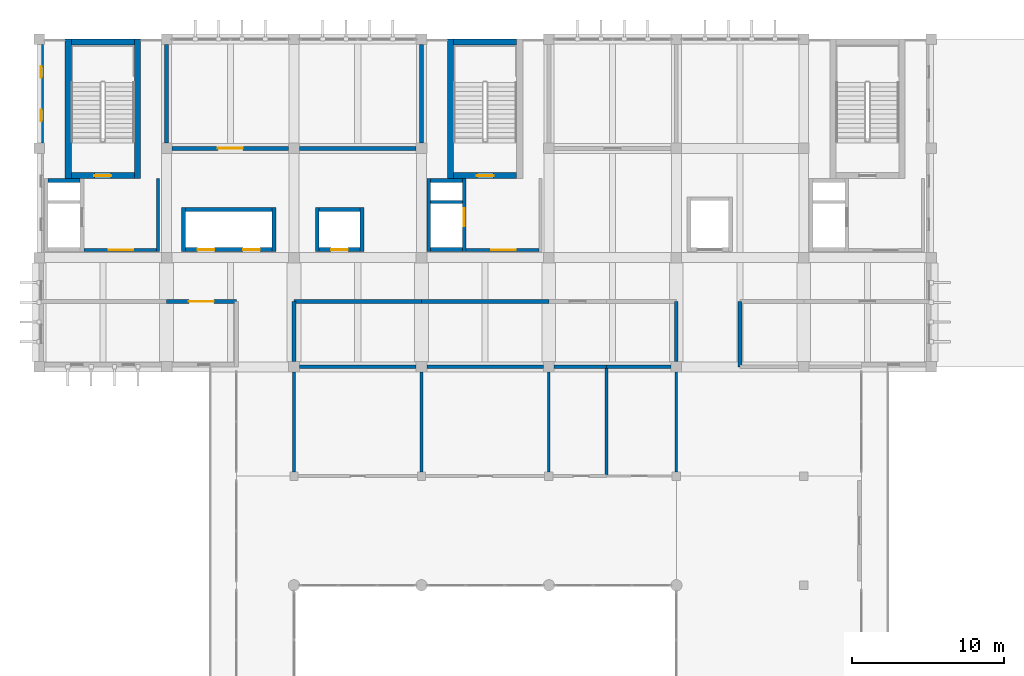
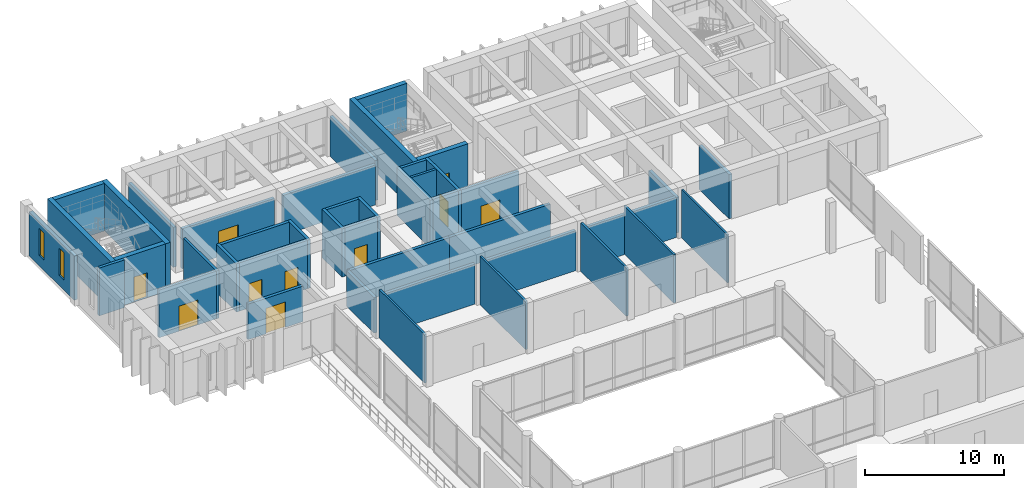
# One storey, part 12 of 17: 44 walls, 10 doors, 2 windows, 12 openings.
"""IFC4 building model written with IfcOpenShell, lengths in metres."""

from ifc_helpers import new_model, si_unit, direction, frame, frame_2d, origin, place, context, subcontext, project, spatial, rectangle, extrude, material, layer, layer_set, type_object, element, fill, save


model = new_model("IFC4")

# Units and contexts
model_context = context("Model", 3, precision=1e-05, world=origin(), true_north=direction((0.0, 1.0)))
body_context = subcontext(model_context, "Body", "Model", "MODEL_VIEW")
ifc_project = project(units=[si_unit("LENGTHUNIT", "METRE"), si_unit("AREAUNIT", "SQUARE_METRE"), si_unit("VOLUMEUNIT", "CUBIC_METRE"), si_unit("PLANEANGLEUNIT", "RADIAN"), si_unit("MASSUNIT", "GRAM", prefix="KILO")], contexts=[model_context])

# Site, building, storey
site_placement = place(None, origin())
site = spatial("IfcSite", under=ifc_project, at=site_placement, CompositionType="ELEMENT")
building_placement = place(site_placement, origin())
building = spatial("IfcBuilding", under=site, at=building_placement, Name="Kenerak Square Central Library", CompositionType="ELEMENT")
storey_placement = place(building_placement, frame((0.0, 0.0, 23.360107421875)))
storey = spatial("IfcBuildingStorey", under=building, at=storey_placement, Name="L05", CompositionType="ELEMENT", Elevation=23.360107421875)

# Wall
ifc_material_1 = material(Name="Precast concrete C40/50", Category="concrete")
ifc_layer_1 = layer(ifc_material_1, 0.14990234375)
ifc_layer_set_1 = layer_set([ifc_layer_1], Name="Precast concrete C40/50")
wall_type_1 = type_object("IfcWallType", Name="Acoustic Blockwork Partition IW-150 C40/50", PredefinedType="PARTITIONING", material=ifc_layer_set_1)
wall_1_placement = place(storey_placement, frame((100.39990234375, 88.449951171875, 0.0), z_axis=(0.0, 0.0, 1.0), x_axis=(0.0, -1.0, 0.0)))
element("IfcWall", 1, at=wall_1_placement, inside=storey, type_object=wall_type_1, Name="Interior Wall IW-L05-11-E4-B1", PredefinedType="PARTITIONING", context=body_context, shape_type="SweptSolid", body=[
    extrude(rectangle(XDim=6.574951171875, YDim=0.14990234375, at=frame_2d((3.28759765625, 0.0))), origin(), (0.0, 0.0, 1.0), 4.2548828125),
])

# Wall, opening, door
ifc_material_2 = material(Name="Concrete C40/50", Category="concrete")
ifc_layer_2 = layer(ifc_material_2, 0.25)
ifc_layer_set_2 = layer_set([ifc_layer_2], Name="Concrete C40/50")
wall_type_2 = type_object("IfcWallType", Name="Archive Compartment Wall IW-250 C40/50", PredefinedType="SOLIDWALL", material=ifc_layer_set_2)
wall_2_placement = place(storey_placement, frame((66.800048828125, 93.10009765625, 0.0), z_axis=(0.0, 0.0, 1.0), x_axis=(1.0, 0.0, 0.0)))
wall_2 = element("IfcWall", 2, at=wall_2_placement, inside=storey, type_object=wall_type_2, Name="Interior Wall IW-L05-04-N2-B2", PredefinedType="SOLIDWALL", context=body_context, shape_type="SweptSolid", body=[
    extrude(rectangle(XDim=4.599853515625, YDim=0.25, at=frame_2d((2.2998046875, 0.0))), origin(), (0.0, 0.0, 1.0), 3.1298828125),
])
opening_1_placement = place(wall_2_placement, frame((1.47509765625, 0.0, 0.0)))
opening_1 = element("IfcOpeningElement", 3, at=opening_1_placement, cuts=wall_2, Name="Opening ID-08", PredefinedType="OPENING", context=body_context, shape_type="SweptSolid", body=[
    extrude(rectangle(XDim=1.64990234375, YDim=2.25, at=frame_2d((0.824951171875, 1.125))), frame((0.0, 0.135009765625, 0.0), z_axis=(0.0, -1.0, 0.0), x_axis=(1.0, 0.0, 0.0)), (0.0, 0.0, 1.0), 0.27001953125),
])
ifc_material_3 = material(Name="Steel S355", Category="steel")
door_type_1 = type_object("IfcDoorType", Name="Vault Fire Compartment Double Door ID-1650x2250 FD120S", OperationType="NOTDEFINED", PredefinedType="DOOR", material=ifc_material_3)
door_1_placement = place(opening_1_placement, origin())
door_1 = element("IfcDoor", 4, at=door_1_placement, inside=storey, type_object=door_type_1, Name="Rare-Books Climate-Controlled Vault Door", OperationType="DOUBLE_DOOR_SINGLE_SWING", OverallHeight=2.25, OverallWidth=1.64990234375, PredefinedType="DOOR", context=body_context, shape_type="SweptSolid", body=[
    extrude(rectangle(XDim=1.64990234375, YDim=2.25, at=frame_2d((0.824951171875, 1.125))), frame((0.0, 0.02490234375, 0.0), z_axis=(0.0, -1.0, 0.0), x_axis=(1.0, 0.0, 0.0)), (0.0, 0.0, 1.0), 0.050048828125),
])
fill(opening_1, door_1)

# Walls
wall_3_placement = place(storey_placement, frame((75.199951171875, 93.10009765625, 0.0), z_axis=(0.0, 0.0, 1.0), x_axis=(1.0, 0.0, 0.0)))
element("IfcWall", 5, at=wall_3_placement, inside=storey, type_object=wall_type_2, Name="Interior Wall IW-L05-05-N2-B1", PredefinedType="SOLIDWALL", context=body_context, shape_type="SweptSolid", body=[
    extrude(rectangle(XDim=8.400146484375, YDim=0.25, at=frame_2d((4.2001953125, 0.0))), origin(), (0.0, 0.0, 1.0), 3.1298828125),
])
wall_4_placement = place(storey_placement, frame((83.60009765625, 93.10009765625, 0.0), z_axis=(0.0, 0.0, 1.0), x_axis=(1.0, 0.0, 0.0)))
element("IfcWall", 6, at=wall_4_placement, inside=storey, type_object=wall_type_2, Name="Interior Wall IW-L05-05-N2-B2", PredefinedType="SOLIDWALL", context=body_context, shape_type="SweptSolid", body=[
    extrude(rectangle(XDim=8.39990234375, YDim=0.25, at=frame_2d((4.199951171875, 0.0))), origin(), (0.0, 0.0, 1.0), 3.1298828125),
])
wall_5_placement = place(storey_placement, frame((83.25, 103.199951171875, 0.0), z_axis=(0.0, 0.0, 1.0), x_axis=(-1.0, 0.0, 0.0)))
element("IfcWall", 7, at=wall_5_placement, inside=storey, type_object=wall_type_2, Name="Interior Wall IW-L05-09-S1-B1", PredefinedType="SOLIDWALL", context=body_context, shape_type="SweptSolid", body=[
    extrude(rectangle(XDim=7.699951171875, YDim=0.25, at=frame_2d((3.85009765625, 0.0))), origin(), (0.0, 0.0, 1.0), 3.52978515625),
])

# Wall, opening, door
wall_6_placement = place(storey_placement, frame((74.85009765625, 103.199951171875, 0.0), z_axis=(0.0, 0.0, 1.0), x_axis=(-1.0, 0.0, 0.0)))
wall_6 = element("IfcWall", 8, at=wall_6_placement, inside=storey, type_object=wall_type_2, Name="Interior Wall IW-L05-09-S1-B2", PredefinedType="SOLIDWALL", context=body_context, shape_type="SweptSolid", body=[
    extrude(rectangle(XDim=7.7001953125, YDim=0.25, at=frame_2d((3.85009765625, 0.0))), origin(), (0.0, 0.0, 1.0), 3.52978515625),
])
opening_2_placement = place(wall_6_placement, frame((3.02490234375, 0.0, 0.0)))
opening_2 = element("IfcOpeningElement", 9, at=opening_2_placement, cuts=wall_6, Name="Opening ID-08", PredefinedType="OPENING", context=body_context, shape_type="SweptSolid", body=[
    extrude(rectangle(XDim=1.64990234375, YDim=2.25, at=frame_2d((0.824951171875, 1.125))), frame((0.0, 0.135009765625, 0.0), z_axis=(0.0, -1.0, 0.0), x_axis=(1.0, 0.0, 0.0)), (0.0, 0.0, 1.0), 0.27001953125),
])
door_2_placement = place(opening_2_placement, origin())
door_2 = element("IfcDoor", 10, at=door_2_placement, inside=storey, type_object=door_type_1, Name="Malaysian Epigraphy and Colonial Archives Stack Door", OperationType="DOUBLE_DOOR_SINGLE_SWING", OverallHeight=2.25, OverallWidth=1.64990234375, PredefinedType="DOOR", context=body_context, shape_type="SweptSolid", body=[
    extrude(rectangle(XDim=1.64990234375, YDim=2.25, at=frame_2d((0.824951171875, 1.125))), frame((0.0, 0.02490234375, 0.0), z_axis=(0.0, -1.0, 0.0), x_axis=(1.0, 0.0, 0.0)), (0.0, 0.0, 1.0), 0.050048828125),
])
fill(opening_2, door_2)

# Walls
wall_7_placement = place(storey_placement, frame((100.050048828125, 88.800048828125, 0.0), z_axis=(0.0, 0.0, 1.0), x_axis=(-1.0, 0.0, 0.0)))
element("IfcWall", 11, at=wall_7_placement, inside=storey, type_object=wall_type_2, Name="Interior Wall IW-L05-05-S1-B1", PredefinedType="SOLIDWALL", context=body_context, shape_type="SweptSolid", body=[
    extrude(rectangle(XDim=4.25, YDim=0.25, at=frame_2d((2.125, 0.0))), origin(), (0.0, 0.0, 1.0), 3.52978515625),
])
wall_8_placement = place(storey_placement, frame((95.800048828125, 88.800048828125, 0.0), z_axis=(0.0, 0.0, 1.0), x_axis=(-1.0, 0.0, 0.0)))
element("IfcWall", 12, at=wall_8_placement, inside=storey, type_object=wall_type_2, Name="Interior Wall IW-L05-05-S1-B2", PredefinedType="SOLIDWALL", context=body_context, shape_type="SweptSolid", body=[
    extrude(rectangle(XDim=3.449951171875, YDim=0.25, at=frame_2d((1.72509765625, 0.0))), origin(), (0.0, 0.0, 1.0), 3.52978515625),
])
for number, where, z_axis, x_axis, name in (
    (13, (91.64990234375, 88.800048828125, 0.0), (0.0, 0.0, 1.0), (-1.0, 0.0, 0.0), "Interior Wall IW-L05-05-S1-B3"),
    (14, (83.25, 88.800048828125, 0.0), (0.0, 0.0, 1.0), (-1.0, 0.0, 0.0), "Interior Wall IW-L05-05-S1-B4"),
):
    element("IfcWall", number, at=place(storey_placement, frame(where, z_axis=z_axis, x_axis=x_axis)), inside=storey, type_object=wall_type_2, Name=name, PredefinedType="SOLIDWALL", context=body_context, shape_type="SweptSolid", body=[
        extrude(rectangle(XDim=7.699951171875, YDim=0.25, at=frame_2d((3.85009765625, 0.0))), origin(), (0.0, 0.0, 1.0), 3.52978515625),
    ])
for number, where, z_axis, x_axis, name in (
    (15, (75.199951171875, 89.14990234375, 0.0), (0.0, 0.0, 1.0), (0.0, 1.0, 0.0), "Interior Wall IW-L05-05-W3-B1"),
    (16, (100.39990234375, 93.10009765625, 0.0), (0.0, 0.0, 1.0), (0.0, -1.0, 0.0), "Interior Wall IW-L05-05-E4-B1"),
):
    element("IfcWall", number, at=place(storey_placement, frame(where, z_axis=z_axis, x_axis=x_axis)), inside=storey, type_object=wall_type_2, Name=name, PredefinedType="SOLIDWALL", context=body_context, shape_type="SweptSolid", body=[
        extrude(rectangle(XDim=3.9501953125, YDim=0.25, at=frame_2d((1.97509765625, 0.0))), origin(), (0.0, 0.0, 1.0), 3.1298828125),
    ])
wall_9_placement = place(storey_placement, frame((104.60009765625, 88.800048828125, 0.0), z_axis=(0.0, 0.0, 1.0), x_axis=(0.0, 1.0, 0.0)))
element("IfcWall", 17, at=wall_9_placement, inside=storey, type_object=wall_type_2, Name="Interior Wall IW-L05-12-W3-B1", PredefinedType="SOLIDWALL", context=body_context, shape_type="SweptSolid", body=[
    extrude(rectangle(XDim=4.300048828125, YDim=0.25, at=frame_2d((2.14990234375, 0.0))), origin(), (0.0, 0.0, 1.0), 3.8798828125),
])
for number, where, z_axis, x_axis, name in (
    (18, (66.800048828125, 103.550048828125, 0.0), (0.0, 0.0, 1.0), (0.0, 1.0, 0.0), "Interior Wall IW-L05-09-W3-B1"),
    (19, (83.60009765625, 110.050048828125, 0.0), (0.0, 0.0, 1.0), (0.0, -1.0, 0.0), "Interior Wall IW-L05-09-E4-B1"),
):
    element("IfcWall", number, at=place(storey_placement, frame(where, z_axis=z_axis, x_axis=x_axis)), inside=storey, type_object=wall_type_2, Name=name, PredefinedType="SOLIDWALL", context=body_context, shape_type="SweptSolid", body=[
        extrude(rectangle(XDim=6.5, YDim=0.25, at=frame_2d((3.25, 0.0))), origin(), (0.0, 0.0, 1.0), 3.52978515625),
    ])

# Wall, openings, windows
ifc_layer_3 = layer(ifc_material_2, 0.300048828125)
ifc_layer_set_3 = layer_set([ifc_layer_3], Name="Concrete C40/50")
wall_type_3 = type_object("IfcWallType", Name="Board-Marked Brutalist Facade Wall EW-300 C40/50", PredefinedType="SOLIDWALL", material=ifc_layer_set_3)
wall_10_placement = place(storey_placement, frame((58.550048828125, 103.550048828125, 0.0), z_axis=(0.0, 0.0, 1.0), x_axis=(0.0, 1.0, 0.0)))
wall_10 = element("IfcWall", 20, at=wall_10_placement, inside=storey, type_object=wall_type_3, Name="Exterior Facade Wall L05 0252", PredefinedType="SOLIDWALL", context=body_context, shape_type="SweptSolid", body=[
    extrude(rectangle(XDim=6.5, YDim=0.300048828125, at=frame_2d((3.25, 0.0))), origin(), (0.0, 0.0, 1.0), 3.8798828125),
])
opening_3_placement = place(wall_10_placement, frame((1.445068359375, 0.0, 0.89990234375)))
opening_3 = element("IfcOpeningElement", 21, at=opening_3_placement, cuts=wall_10, Name="Opening W-02", PredefinedType="OPENING", context=body_context, shape_type="SweptSolid", body=[
    extrude(rectangle(XDim=0.75, YDim=2.39990234375, at=frame_2d((0.375, 1.199951171875))), frame((0.0, 0.159912109375, 0.0), z_axis=(0.0, -1.0, 0.0), x_axis=(1.0, 0.0, 0.0)), (0.0, 0.0, 1.0), 0.320068359375),
])
opening_4_placement = place(wall_10_placement, frame((4.304931640625, 0.0, 0.89990234375)))
opening_4 = element("IfcOpeningElement", 22, at=opening_4_placement, cuts=wall_10, Name="Opening W-02", PredefinedType="OPENING", context=body_context, shape_type="SweptSolid", body=[
    extrude(rectangle(XDim=0.75, YDim=2.39990234375, at=frame_2d((0.375, 1.199951171875))), frame((0.0, 0.159912109375, 0.0), z_axis=(0.0, -1.0, 0.0), x_axis=(1.0, 0.0, 0.0)), (0.0, 0.0, 1.0), 0.320068359375),
])
ifc_material_4 = material(Name="Solar-control low-E laminated double glazing", Category="glass")
window_type = type_object("IfcWindowType", Name="Archive Narrow Slot Window W-02 750x2400", PartitioningType="SINGLE_PANEL", PredefinedType="WINDOW", material=ifc_material_4)
window_1_placement = place(opening_3_placement, origin())
window_1 = element("IfcWindow", 23, at=window_1_placement, inside=storey, type_object=window_type, Name="Window W-02 L05 0281", OverallHeight=2.39990234375, OverallWidth=0.75, PartitioningType="SINGLE_PANEL", PredefinedType="WINDOW", context=body_context, shape_type="SweptSolid", body=[
    extrude(rectangle(XDim=0.75, YDim=2.39990234375, at=frame_2d((0.375, 1.199951171875))), frame((0.0, 0.030029296875, 0.0), z_axis=(0.0, -1.0, 0.0), x_axis=(1.0, 0.0, 0.0)), (0.0, 0.0, 1.0), 0.06005859375),
])
fill(opening_3, window_1)
window_2_placement = place(opening_4_placement, origin())
window_2 = element("IfcWindow", 24, at=window_2_placement, inside=storey, type_object=window_type, Name="Window W-02 L05 0282", OverallHeight=2.39990234375, OverallWidth=0.75, PartitioningType="SINGLE_PANEL", PredefinedType="WINDOW", context=body_context, shape_type="SweptSolid", body=[
    extrude(rectangle(XDim=0.75, YDim=2.39990234375, at=frame_2d((0.375, 1.199951171875))), frame((0.0, 0.030029296875, 0.0), z_axis=(0.0, -1.0, 0.0), x_axis=(1.0, 0.0, 0.0)), (0.0, 0.0, 1.0), 0.06005859375),
])
fill(opening_4, window_2)

# Walls
ifc_layer_4 = layer(ifc_material_2, 0.39990234375)
ifc_layer_set_4 = layer_set([ifc_layer_4], Name="Concrete C40/50")
wall_type_4 = type_object("IfcWallType", Name="Core Shear Wall CW-400 C40/50", PredefinedType="SHEAR", material=ifc_layer_set_4)
for number, where, z_axis, x_axis, name in (
    (25, (60.320068359375, 101.199951171875, 0.0), (0.0, 0.0, 1.0), (0.0, 1.0, 0.0), "Core Wall CW-C1 L05 West"),
    (26, (64.8798828125, 110.39990234375, 0.0), (0.0, 0.0, 1.0), (0.0, -1.0, 0.0), "Core Wall CW-C1 L05 East"),
):
    element("IfcWall", number, at=place(storey_placement, frame(where, z_axis=z_axis, x_axis=x_axis)), inside=storey, type_object=wall_type_4, Name=name, PredefinedType="SHEAR", context=body_context, shape_type="SweptSolid", body=[
        extrude(rectangle(XDim=9.199951171875, YDim=0.39990234375, at=frame_2d((4.60009765625, 0.0))), origin(), (0.0, 0.0, 1.0), 4.204833984375),
    ])

# Wall, opening, door
wall_11_placement = place(storey_placement, frame((64.679931640625, 101.39990234375, 0.0), z_axis=(0.0, 0.0, 1.0), x_axis=(-1.0, 0.0, 0.0)))
wall_11 = element("IfcWall", 27, at=wall_11_placement, inside=storey, type_object=wall_type_4, Name="Core Wall CW-C1 L05 South", PredefinedType="SHEAR", context=body_context, shape_type="SweptSolid", body=[
    extrude(rectangle(XDim=4.159912109375, YDim=0.39990234375, at=frame_2d((2.080078125, 0.0))), origin(), (0.0, 0.0, 1.0), 4.204833984375),
])
opening_5_placement = place(wall_11_placement, frame((1.530029296875, 0.0, 0.0)))
opening_5 = element("IfcOpeningElement", 28, at=opening_5_placement, cuts=wall_11, Name="Opening D-ST1", PredefinedType="OPENING", context=body_context, shape_type="SweptSolid", body=[
    extrude(rectangle(XDim=1.10009765625, YDim=2.199951171875, at=frame_2d((0.550048828125, 1.10009765625))), frame((0.0, 0.2099609375, 0.0), z_axis=(0.0, -1.0, 0.0), x_axis=(1.0, 0.0, 0.0)), (0.0, 0.0, 1.0), 0.419921875),
])
door_type_2 = type_object("IfcDoorType", Name="Protected Stair Fire Door FD-1100x2200 FD60S", OperationType="NOTDEFINED", PredefinedType="DOOR", material=ifc_material_3)
door_3_placement = place(opening_5_placement, frame((1.10009765625, 0.0, 0.0), z_axis=(0.0, 0.0, 1.0), x_axis=(-1.0, 0.0, 0.0)))
door_3 = element("IfcDoor", 29, at=door_3_placement, inside=storey, type_object=door_type_2, Name="Stair Door ST-01 L05", OperationType="SINGLE_SWING_LEFT", OverallHeight=2.199951171875, OverallWidth=1.10009765625, PredefinedType="DOOR", context=body_context, shape_type="SweptSolid", body=[
    extrude(rectangle(XDim=1.10009765625, YDim=2.199951171875, at=frame_2d((0.550048828125, 1.10009765625))), frame((0.0, 0.02490234375, 0.0), z_axis=(0.0, -1.0, 0.0), x_axis=(1.0, 0.0, 0.0)), (0.0, 0.0, 1.0), 0.050048828125),
])
fill(opening_5, door_3)

# Walls
wall_12_placement = place(storey_placement, frame((60.52001953125, 110.199951171875, 0.0), z_axis=(0.0, 0.0, 1.0), x_axis=(1.0, 0.0, 0.0)))
element("IfcWall", 30, at=wall_12_placement, inside=storey, type_object=wall_type_4, Name="Core Wall CW-C1 L05 North", PredefinedType="SHEAR", context=body_context, shape_type="SweptSolid", body=[
    extrude(rectangle(XDim=4.159912109375, YDim=0.39990234375, at=frame_2d((2.080078125, 0.0))), origin(), (0.0, 0.0, 1.0), 4.204833984375),
])
wall_13_placement = place(storey_placement, frame((85.52001953125, 101.199951171875, 0.0), z_axis=(0.0, 0.0, 1.0), x_axis=(0.0, 1.0, 0.0)))
element("IfcWall", 31, at=wall_13_placement, inside=storey, type_object=wall_type_4, Name="Core Wall CW-C2 L05 West", PredefinedType="SHEAR", context=body_context, shape_type="SweptSolid", body=[
    extrude(rectangle(XDim=9.199951171875, YDim=0.39990234375, at=frame_2d((4.60009765625, 0.0))), origin(), (0.0, 0.0, 1.0), 4.204833984375),
])

# Wall, opening, door
wall_14_placement = place(storey_placement, frame((89.8798828125, 101.39990234375, 0.0), z_axis=(0.0, 0.0, 1.0), x_axis=(-1.0, 0.0, 0.0)))
wall_14 = element("IfcWall", 32, at=wall_14_placement, inside=storey, type_object=wall_type_4, Name="Core Wall CW-C2 L05 South", PredefinedType="SHEAR", context=body_context, shape_type="SweptSolid", body=[
    extrude(rectangle(XDim=4.159912109375, YDim=0.39990234375, at=frame_2d((2.080078125, 0.0))), origin(), (0.0, 0.0, 1.0), 4.204833984375),
])
opening_6_placement = place(wall_14_placement, frame((1.530029296875, 0.0, 0.0)))
opening_6 = element("IfcOpeningElement", 33, at=opening_6_placement, cuts=wall_14, Name="Opening D-ST1", PredefinedType="OPENING", context=body_context, shape_type="SweptSolid", body=[
    extrude(rectangle(XDim=1.10009765625, YDim=2.199951171875, at=frame_2d((0.550048828125, 1.10009765625))), frame((0.0, 0.2099609375, 0.0), z_axis=(0.0, -1.0, 0.0), x_axis=(1.0, 0.0, 0.0)), (0.0, 0.0, 1.0), 0.419921875),
])
door_4_placement = place(opening_6_placement, frame((1.10009765625, 0.0, 0.0), z_axis=(0.0, 0.0, 1.0), x_axis=(-1.0, 0.0, 0.0)))
door_4 = element("IfcDoor", 34, at=door_4_placement, inside=storey, type_object=door_type_2, Name="Stair Door ST-02 L05", OperationType="SINGLE_SWING_RIGHT", OverallHeight=2.199951171875, OverallWidth=1.10009765625, PredefinedType="DOOR", context=body_context, shape_type="SweptSolid", body=[
    extrude(rectangle(XDim=1.10009765625, YDim=2.199951171875, at=frame_2d((0.550048828125, 1.10009765625))), frame((0.0, 0.02490234375, 0.0), z_axis=(0.0, -1.0, 0.0), x_axis=(1.0, 0.0, 0.0)), (0.0, 0.0, 1.0), 0.050048828125),
])
fill(opening_6, door_4)

# Walls
wall_15_placement = place(storey_placement, frame((85.719970703125, 110.199951171875, 0.0), z_axis=(0.0, 0.0, 1.0), x_axis=(1.0, 0.0, 0.0)))
element("IfcWall", 35, at=wall_15_placement, inside=storey, type_object=wall_type_4, Name="Core Wall CW-C2 L05 North", PredefinedType="SHEAR", context=body_context, shape_type="SweptSolid", body=[
    extrude(rectangle(XDim=4.159912109375, YDim=0.39990234375, at=frame_2d((2.080078125, 0.0))), origin(), (0.0, 0.0, 1.0), 4.204833984375),
])
ifc_layer_5 = layer(ifc_material_2, 0.199951171875)
ifc_layer_set_5 = layer_set([ifc_layer_5], Name="Concrete C40/50")
wall_type_5 = type_object("IfcWallType", Name="Lobby Compartment Wall LW-200 C40/50", PredefinedType="SOLIDWALL", material=ifc_layer_set_5)
wall_16_placement = place(storey_placement, frame((66.25, 101.199951171875, 0.0), z_axis=(0.0, 0.0, 1.0), x_axis=(0.0, -1.0, 0.0)))
element("IfcWall", 36, at=wall_16_placement, inside=storey, type_object=wall_type_5, Name="Firefighting Lobby East Wall C1 L05", PredefinedType="SOLIDWALL", context=body_context, shape_type="SweptSolid", body=[
    extrude(rectangle(XDim=4.800048828125, YDim=0.199951171875, at=frame_2d((2.39990234375, 0.0))), origin(), (0.0, 0.0, 1.0), 4.204833984375),
])

# Wall, opening, door
wall_17_placement = place(storey_placement, frame((66.14990234375, 96.5, 0.0), z_axis=(0.0, 0.0, 1.0), x_axis=(-1.0, 0.0, 0.0)))
wall_17 = element("IfcWall", 37, at=wall_17_placement, inside=storey, type_object=wall_type_5, Name="Firefighting Lobby South Wall C1 L05", PredefinedType="SOLIDWALL", context=body_context, shape_type="SweptSolid", body=[
    extrude(rectangle(XDim=4.7998046875, YDim=0.199951171875, at=frame_2d((2.39990234375, 0.0))), origin(), (0.0, 0.0, 1.0), 4.204833984375),
])
opening_7_placement = place(wall_17_placement, frame((1.550048828125, 0.0, 0.0)))
opening_7 = element("IfcOpeningElement", 38, at=opening_7_placement, cuts=wall_17, Name="Opening D-FFL", PredefinedType="OPENING", context=body_context, shape_type="SweptSolid", body=[
    extrude(rectangle(XDim=1.60009765625, YDim=2.199951171875, at=frame_2d((0.800048828125, 1.10009765625))), frame((0.0, 0.10986328125, 0.0), z_axis=(0.0, -1.0, 0.0), x_axis=(1.0, 0.0, 0.0)), (0.0, 0.0, 1.0), 0.219970703125),
])
door_type_3 = type_object("IfcDoorType", Name="Firefighting Lobby Double Door FD-1600x2200 FD60S", OperationType="NOTDEFINED", PredefinedType="DOOR", material=ifc_material_3)
door_5_placement = place(opening_7_placement, frame((1.60009765625, 0.0, 0.0), z_axis=(0.0, 0.0, 1.0), x_axis=(-1.0, 0.0, 0.0)))
door_5 = element("IfcDoor", 39, at=door_5_placement, inside=storey, type_object=door_type_3, Name="Firefighting Lobby Door C1 L05", OperationType="DOUBLE_DOOR_SINGLE_SWING", OverallHeight=2.199951171875, OverallWidth=1.60009765625, PredefinedType="DOOR", context=body_context, shape_type="SweptSolid", body=[
    extrude(rectangle(XDim=1.60009765625, YDim=2.199951171875, at=frame_2d((0.800048828125, 1.10009765625))), frame((0.0, 0.02490234375, 0.0), z_axis=(0.0, -1.0, 0.0), x_axis=(1.0, 0.0, 0.0)), (0.0, 0.0, 1.0), 0.050048828125),
])
fill(opening_7, door_5)

# Wall
wall_18_placement = place(storey_placement, frame((84.199951171875, 99.64990234375, 0.0), z_axis=(0.0, 0.0, 1.0), x_axis=(1.0, 0.0, 0.0)))
element("IfcWall", 40, at=wall_18_placement, inside=storey, type_object=wall_type_5, Name="Riser Divider Wall C2 L05", PredefinedType="SOLIDWALL", context=body_context, shape_type="SweptSolid", body=[
    extrude(rectangle(XDim=2.10009765625, YDim=0.199951171875, at=frame_2d((1.050048828125, 0.0))), origin(), (0.0, 0.0, 1.0), 4.204833984375),
])

# Wall, opening, door
wall_19_placement = place(storey_placement, frame((91.35009765625, 96.5, 0.0), z_axis=(0.0, 0.0, 1.0), x_axis=(-1.0, 0.0, 0.0)))
wall_19 = element("IfcWall", 41, at=wall_19_placement, inside=storey, type_object=wall_type_5, Name="Firefighting Lobby South Wall C2 L05", PredefinedType="SOLIDWALL", context=body_context, shape_type="SweptSolid", body=[
    extrude(rectangle(XDim=4.800048828125, YDim=0.199951171875, at=frame_2d((2.39990234375, 0.0))), origin(), (0.0, 0.0, 1.0), 4.204833984375),
])
opening_8_placement = place(wall_19_placement, frame((1.550048828125, 0.0, 0.0)))
opening_8 = element("IfcOpeningElement", 42, at=opening_8_placement, cuts=wall_19, Name="Opening D-FFL", PredefinedType="OPENING", context=body_context, shape_type="SweptSolid", body=[
    extrude(rectangle(XDim=1.60009765625, YDim=2.199951171875, at=frame_2d((0.800048828125, 1.10009765625))), frame((0.0, 0.10986328125, 0.0), z_axis=(0.0, -1.0, 0.0), x_axis=(1.0, 0.0, 0.0)), (0.0, 0.0, 1.0), 0.219970703125),
])
door_6_placement = place(opening_8_placement, frame((1.60009765625, 0.0, 0.0), z_axis=(0.0, 0.0, 1.0), x_axis=(-1.0, 0.0, 0.0)))
door_6 = element("IfcDoor", 43, at=door_6_placement, inside=storey, type_object=door_type_3, Name="Firefighting Lobby Door C2 L05", OperationType="DOUBLE_DOOR_SINGLE_SWING", OverallHeight=2.199951171875, OverallWidth=1.60009765625, PredefinedType="DOOR", context=body_context, shape_type="SweptSolid", body=[
    extrude(rectangle(XDim=1.60009765625, YDim=2.199951171875, at=frame_2d((0.800048828125, 1.10009765625))), frame((0.0, 0.02490234375, 0.0), z_axis=(0.0, -1.0, 0.0), x_axis=(1.0, 0.0, 0.0)), (0.0, 0.0, 1.0), 0.050048828125),
])
fill(opening_8, door_6)

# Walls
ifc_layer_6 = layer(ifc_material_1, 0.175048828125)
ifc_layer_set_6 = layer_set([ifc_layer_6], Name="Precast concrete C40/50")
wall_type_6 = type_object("IfcWallType", Name="Sanitary Plumbing Chase Wall IW-175 C40/50", PredefinedType="PLUMBINGWALL", material=ifc_layer_set_6)
for number, where, z_axis, x_axis, name in (
    (44, (75.199951171875, 81.875, 0.0), (0.0, 0.0, 1.0), (0.0, 1.0, 0.0), "Interior Wall IW-L05-06-W3-B1"),
    (45, (83.60009765625, 88.449951171875, 0.0), (0.0, 0.0, 1.0), (0.0, -1.0, 0.0), "Interior Wall IW-L05-06-E4-B1"),
    (46, (92.0, 88.449951171875, 0.0), (0.0, 0.0, 1.0), (0.0, -1.0, 0.0), "Interior Wall IW-L05-07-E4-B1"),
):
    element("IfcWall", number, at=place(storey_placement, frame(where, z_axis=z_axis, x_axis=x_axis)), inside=storey, type_object=wall_type_6, Name=name, PredefinedType="PLUMBINGWALL", context=body_context, shape_type="SweptSolid", body=[
        extrude(rectangle(XDim=6.574951171875, YDim=0.175048828125, at=frame_2d((3.28759765625, 0.0))), origin(), (0.0, 0.0, 1.0), 4.2548828125),
    ])
wall_20_placement = place(storey_placement, frame((95.800048828125, 88.800048828125, 0.0), z_axis=(0.0, 0.0, 1.0), x_axis=(0.0, -1.0, 0.0)))
element("IfcWall", 47, at=wall_20_placement, inside=storey, type_object=wall_type_6, Name="Interior Wall IW-L05-08-E4-B1", PredefinedType="PLUMBINGWALL", context=body_context, shape_type="SweptSolid", body=[
    extrude(rectangle(XDim=7.199951171875, YDim=0.175048828125, at=frame_2d((3.60009765625, 0.0))), origin(), (0.0, 0.0, 1.0), 4.2548828125),
])
ifc_layer_7 = layer(ifc_material_2, 0.25)
ifc_layer_set_7 = layer_set([ifc_layer_7], Name="Concrete C40/50")
wall_type_7 = type_object("IfcWallType", Name="Shaft Enclosure Wall SW-250 C40/50", PredefinedType="SOLIDWALL", material=ifc_layer_set_7)
wall_21_placement = place(storey_placement, frame((59.0, 101.074951171875, 0.0), z_axis=(0.0, 0.0, 1.0), x_axis=(1.0, 0.0, 0.0)))
element("IfcWall", 48, at=wall_21_placement, inside=storey, type_object=wall_type_7, Name="Core Wall FLW-C1 L05 North", PredefinedType="SOLIDWALL", context=body_context, shape_type="SweptSolid", body=[
    extrude(rectangle(XDim=2.10009765625, YDim=0.25, at=frame_2d((1.050048828125, 0.0))), origin(), (0.0, 0.0, 1.0), 4.204833984375),
])
wall_22_placement = place(storey_placement, frame((84.074951171875, 96.39990234375, 0.0), z_axis=(0.0, 0.0, 1.0), x_axis=(0.0, 1.0, 0.0)))
element("IfcWall", 49, at=wall_22_placement, inside=storey, type_object=wall_type_7, Name="Core Wall FLW-C2 L05 West", PredefinedType="SOLIDWALL", context=body_context, shape_type="SweptSolid", body=[
    extrude(rectangle(XDim=4.800048828125, YDim=0.25, at=frame_2d((2.39990234375, 0.0))), origin(), (0.0, 0.0, 1.0), 4.204833984375),
])

# Wall, opening, door
wall_23_placement = place(storey_placement, frame((86.425048828125, 101.199951171875, 0.0), z_axis=(0.0, 0.0, 1.0), x_axis=(0.0, -1.0, 0.0)))
wall_23 = element("IfcWall", 50, at=wall_23_placement, inside=storey, type_object=wall_type_7, Name="Core Wall FLW-C2 L05 East", PredefinedType="SOLIDWALL", context=body_context, shape_type="SweptSolid", body=[
    extrude(rectangle(XDim=4.800048828125, YDim=0.25, at=frame_2d((2.39990234375, 0.0))), origin(), (0.0, 0.0, 1.0), 4.204833984375),
])
opening_9_placement = place(wall_23_placement, frame((1.949951171875, 0.0, 0.0)))
opening_9 = element("IfcOpeningElement", 51, at=opening_9_placement, cuts=wall_23, Name="Opening LD-FL", PredefinedType="OPENING", context=body_context, shape_type="SweptSolid", body=[
    extrude(rectangle(XDim=1.199951171875, YDim=2.199951171875, at=frame_2d((0.60009765625, 1.10009765625))), frame((0.0, 0.135009765625, 0.0), z_axis=(0.0, -1.0, 0.0), x_axis=(1.0, 0.0, 0.0)), (0.0, 0.0, 1.0), 0.27001953125),
])
door_type_4 = type_object("IfcDoorType", Name="Firefighting Lift Sliding Landing Door LD-1200x2200 FD120S", OperationType="NOTDEFINED", PredefinedType="DOOR", material=ifc_material_3)
door_7_placement = place(opening_9_placement, origin())
door_7 = element("IfcDoor", 52, at=door_7_placement, inside=storey, type_object=door_type_4, Name="Firefighting Lift Landing Door FL-02 L05", OperationType="SLIDING_TO_LEFT", OverallHeight=2.199951171875, OverallWidth=1.199951171875, PredefinedType="DOOR", context=body_context, shape_type="SweptSolid", body=[
    extrude(rectangle(XDim=1.199951171875, YDim=2.199951171875, at=frame_2d((0.60009765625, 1.10009765625))), frame((0.0, 0.02490234375, 0.0), z_axis=(0.0, -1.0, 0.0), x_axis=(1.0, 0.0, 0.0)), (0.0, 0.0, 1.0), 0.050048828125),
])
fill(opening_9, door_7)

# Walls
for number, where, z_axis, x_axis, name in (
    (53, (86.300048828125, 96.52490234375, 0.0), (0.0, 0.0, 1.0), (-1.0, 0.0, 0.0), "Core Wall FLW-C2 L05 South"),
    (54, (84.199951171875, 101.074951171875, 0.0), (0.0, 0.0, 1.0), (1.0, 0.0, 0.0), "Core Wall FLW-C2 L05 North"),
):
    element("IfcWall", number, at=place(storey_placement, frame(where, z_axis=z_axis, x_axis=x_axis)), inside=storey, type_object=wall_type_7, Name=name, PredefinedType="SOLIDWALL", context=body_context, shape_type="SweptSolid", body=[
        extrude(rectangle(XDim=2.10009765625, YDim=0.25, at=frame_2d((1.050048828125, 0.0))), origin(), (0.0, 0.0, 1.0), 4.204833984375),
    ])
for number, where, z_axis, x_axis, name in (
    (55, (67.925048828125, 96.39990234375, 0.0), (0.0, 0.0, 1.0), (0.0, 1.0, 0.0), "Core Wall PLBANKW L05 West"),
    (56, (73.875, 99.300048828125, 0.0), (0.0, 0.0, 1.0), (0.0, -1.0, 0.0), "Core Wall PLBANKW L05 East"),
):
    element("IfcWall", number, at=place(storey_placement, frame(where, z_axis=z_axis, x_axis=x_axis)), inside=storey, type_object=wall_type_7, Name=name, PredefinedType="SOLIDWALL", context=body_context, shape_type="SweptSolid", body=[
        extrude(rectangle(XDim=2.900146484375, YDim=0.25, at=frame_2d((1.4501953125, 0.0))), origin(), (0.0, 0.0, 1.0), 4.2548828125),
    ])

# Wall, openings, doors
wall_24_placement = place(storey_placement, frame((73.75, 96.52490234375, 0.0), z_axis=(0.0, 0.0, 1.0), x_axis=(-1.0, 0.0, 0.0)))
wall_24 = element("IfcWall", 57, at=wall_24_placement, inside=storey, type_object=wall_type_7, Name="Core Wall PLBANKW L05 South", PredefinedType="SOLIDWALL", context=body_context, shape_type="SweptSolid", body=[
    extrude(rectangle(XDim=5.699951171875, YDim=0.25, at=frame_2d((2.85009765625, 0.0))), origin(), (0.0, 0.0, 1.0), 4.2548828125),
])
opening_10_placement = place(wall_24_placement, frame((3.800048828125, 0.0, 0.0)))
opening_10 = element("IfcOpeningElement", 58, at=opening_10_placement, cuts=wall_24, Name="Opening LD-PL", PredefinedType="OPENING", context=body_context, shape_type="SweptSolid", body=[
    extrude(rectangle(XDim=1.10009765625, YDim=2.14990234375, at=frame_2d((0.550048828125, 1.074951171875))), frame((0.0, 0.135009765625, 0.0), z_axis=(0.0, -1.0, 0.0), x_axis=(1.0, 0.0, 0.0)), (0.0, 0.0, 1.0), 0.27001953125),
])
opening_11_placement = place(wall_24_placement, frame((0.800048828125, 0.0, 0.0)))
opening_11 = element("IfcOpeningElement", 59, at=opening_11_placement, cuts=wall_24, Name="Opening LD-PL", PredefinedType="OPENING", context=body_context, shape_type="SweptSolid", body=[
    extrude(rectangle(XDim=1.10009765625, YDim=2.14990234375, at=frame_2d((0.550048828125, 1.074951171875))), frame((0.0, 0.135009765625, 0.0), z_axis=(0.0, -1.0, 0.0), x_axis=(1.0, 0.0, 0.0)), (0.0, 0.0, 1.0), 0.27001953125),
])
door_type_5 = type_object("IfcDoorType", Name="Passenger Lift Sliding Landing Door LD-1100x2150", OperationType="NOTDEFINED", PredefinedType="DOOR", material=ifc_material_3)
door_8_placement = place(opening_10_placement, origin())
door_8 = element("IfcDoor", 60, at=door_8_placement, inside=storey, type_object=door_type_5, Name="Passenger Lift Landing Door PL-01 L05", OperationType="SLIDING_TO_RIGHT", OverallHeight=2.14990234375, OverallWidth=1.10009765625, PredefinedType="DOOR", context=body_context, shape_type="SweptSolid", body=[
    extrude(rectangle(XDim=1.10009765625, YDim=2.14990234375, at=frame_2d((0.550048828125, 1.074951171875))), frame((0.0, 0.02490234375, 0.0), z_axis=(0.0, -1.0, 0.0), x_axis=(1.0, 0.0, 0.0)), (0.0, 0.0, 1.0), 0.050048828125),
])
fill(opening_10, door_8)
door_9_placement = place(opening_11_placement, origin())
door_9 = element("IfcDoor", 61, at=door_9_placement, inside=storey, type_object=door_type_5, Name="Passenger Lift Landing Door PL-02 L05", OperationType="SLIDING_TO_RIGHT", OverallHeight=2.14990234375, OverallWidth=1.10009765625, PredefinedType="DOOR", context=body_context, shape_type="SweptSolid", body=[
    extrude(rectangle(XDim=1.10009765625, YDim=2.14990234375, at=frame_2d((0.550048828125, 1.074951171875))), frame((0.0, 0.02490234375, 0.0), z_axis=(0.0, -1.0, 0.0), x_axis=(1.0, 0.0, 0.0)), (0.0, 0.0, 1.0), 0.050048828125),
])
fill(opening_11, door_9)

# Walls
wall_25_placement = place(storey_placement, frame((68.050048828125, 99.175048828125, 0.0), z_axis=(0.0, 0.0, 1.0), x_axis=(1.0, 0.0, 0.0)))
element("IfcWall", 62, at=wall_25_placement, inside=storey, type_object=wall_type_7, Name="Core Wall PLBANKW L05 North", PredefinedType="SOLIDWALL", context=body_context, shape_type="SweptSolid", body=[
    extrude(rectangle(XDim=5.699951171875, YDim=0.25, at=frame_2d((2.85009765625, 0.0))), origin(), (0.0, 0.0, 1.0), 4.2548828125),
])
for number, where, z_axis, x_axis, name in (
    (63, (76.72509765625, 96.39990234375, 0.0), (0.0, 0.0, 1.0), (0.0, 1.0, 0.0), "Core Wall PLBANKE L05 West"),
    (64, (79.675048828125, 99.300048828125, 0.0), (0.0, 0.0, 1.0), (0.0, -1.0, 0.0), "Core Wall PLBANKE L05 East"),
):
    element("IfcWall", number, at=place(storey_placement, frame(where, z_axis=z_axis, x_axis=x_axis)), inside=storey, type_object=wall_type_7, Name=name, PredefinedType="SOLIDWALL", context=body_context, shape_type="SweptSolid", body=[
        extrude(rectangle(XDim=2.900146484375, YDim=0.25, at=frame_2d((1.4501953125, 0.0))), origin(), (0.0, 0.0, 1.0), 4.2548828125),
    ])

# Wall, opening, door
wall_26_placement = place(storey_placement, frame((79.550048828125, 96.52490234375, 0.0), z_axis=(0.0, 0.0, 1.0), x_axis=(-1.0, 0.0, 0.0)))
wall_26 = element("IfcWall", 65, at=wall_26_placement, inside=storey, type_object=wall_type_7, Name="Core Wall PLBANKE L05 South", PredefinedType="SOLIDWALL", context=body_context, shape_type="SweptSolid", body=[
    extrude(rectangle(XDim=2.699951171875, YDim=0.25, at=frame_2d((1.35009765625, 0.0))), origin(), (0.0, 0.0, 1.0), 4.2548828125),
])
opening_12_placement = place(wall_26_placement, frame((0.800048828125, 0.0, 0.0)))
opening_12 = element("IfcOpeningElement", 66, at=opening_12_placement, cuts=wall_26, Name="Opening LD-PL", PredefinedType="OPENING", context=body_context, shape_type="SweptSolid", body=[
    extrude(rectangle(XDim=1.10009765625, YDim=2.14990234375, at=frame_2d((0.550048828125, 1.074951171875))), frame((0.0, 0.135009765625, 0.0), z_axis=(0.0, -1.0, 0.0), x_axis=(1.0, 0.0, 0.0)), (0.0, 0.0, 1.0), 0.27001953125),
])
door_10_placement = place(opening_12_placement, origin())
door_10 = element("IfcDoor", 67, at=door_10_placement, inside=storey, type_object=door_type_5, Name="Passenger Lift Landing Door PL-03 L05", OperationType="SLIDING_TO_LEFT", OverallHeight=2.14990234375, OverallWidth=1.10009765625, PredefinedType="DOOR", context=body_context, shape_type="SweptSolid", body=[
    extrude(rectangle(XDim=1.10009765625, YDim=2.14990234375, at=frame_2d((0.550048828125, 1.074951171875))), frame((0.0, 0.02490234375, 0.0), z_axis=(0.0, -1.0, 0.0), x_axis=(1.0, 0.0, 0.0)), (0.0, 0.0, 1.0), 0.050048828125),
])
fill(opening_12, door_10)

# Wall
wall_27_placement = place(storey_placement, frame((76.85009765625, 99.175048828125, 0.0), z_axis=(0.0, 0.0, 1.0), x_axis=(1.0, 0.0, 0.0)))
element("IfcWall", 68, at=wall_27_placement, inside=storey, type_object=wall_type_7, Name="Core Wall PLBANKE L05 North", PredefinedType="SOLIDWALL", context=body_context, shape_type="SweptSolid", body=[
    extrude(rectangle(XDim=2.699951171875, YDim=0.25, at=frame_2d((1.35009765625, 0.0))), origin(), (0.0, 0.0, 1.0), 4.2548828125),
])

save(model, "model.ifc")
